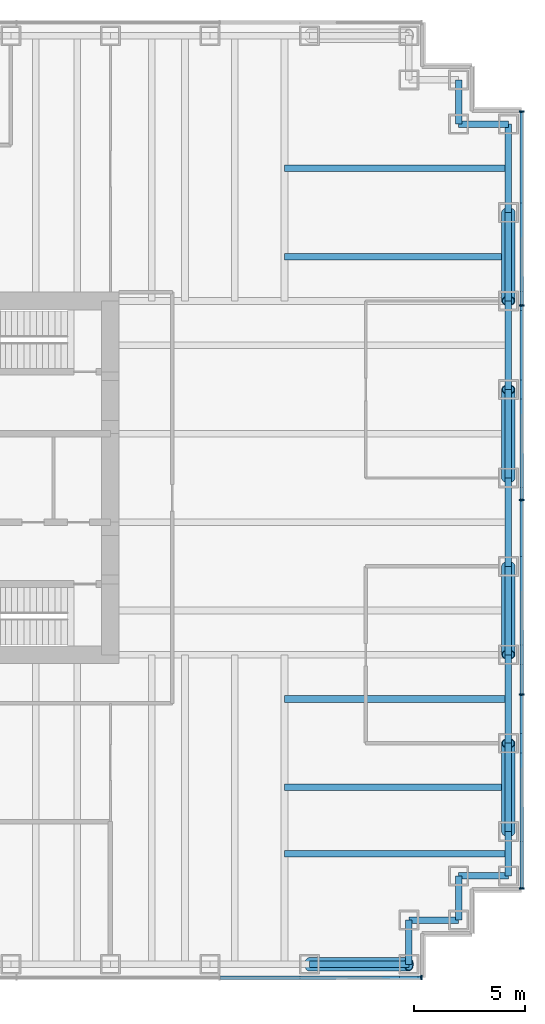
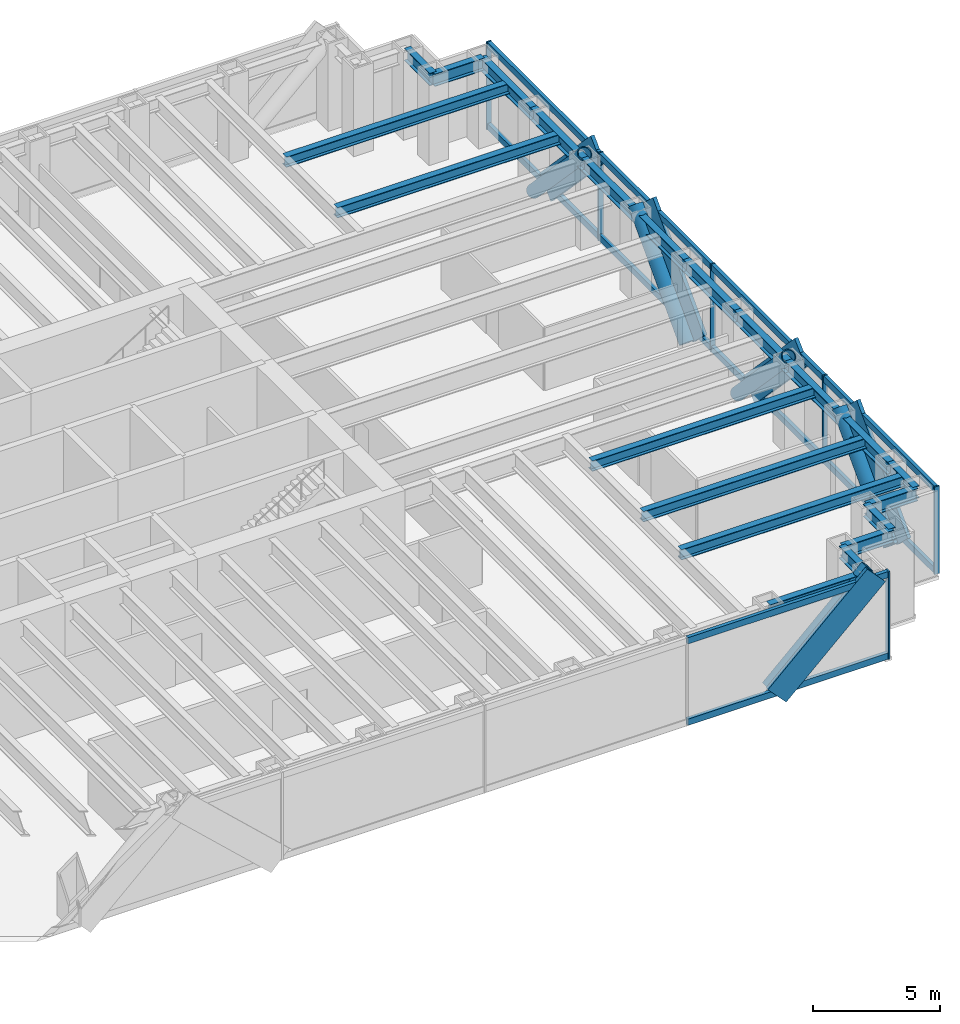
# One storey, part 7 of 14: 26 members, 21 beams, 2 elements without a shape of their own.
"""IFC4 building model written with IfcOpenShell, lengths in metres."""

from ifc_helpers import new_model, si_unit, direction, frame, origin, origin_2d, place, context, subcontext, project, spatial, rectangle, hollow_circle, i_section, extrude, material, material_profile, profile_set, type_object, element, aggregate, save


model = new_model("IFC4")

# Units and contexts
model_context = context("Model", 3, precision=1e-05, world=origin(), true_north=direction((0.0, 1.0)))
body_context = subcontext(model_context, "Body", "Model", "MODEL_VIEW")
ifc_project = project(units=[si_unit("LENGTHUNIT", "METRE"), si_unit("AREAUNIT", "SQUARE_METRE"), si_unit("VOLUMEUNIT", "CUBIC_METRE"), si_unit("PLANEANGLEUNIT", "RADIAN"), si_unit("MASSUNIT", "GRAM", prefix="KILO")], contexts=[model_context])

# Site, building, storey
site_placement = place(None, origin())
site = spatial("IfcSite", under=ifc_project, at=site_placement, CompositionType="ELEMENT")
building_placement = place(site_placement, origin())
building = spatial("IfcBuilding", under=site, at=building_placement, Name="Rheinbord Bourse Tower", CompositionType="ELEMENT")
storey_placement = place(building_placement, frame((0.0, 0.0, 240.39990234375)))
storey = spatial("IfcBuildingStorey", under=building, at=storey_placement, Name="L54", CompositionType="ELEMENT", Elevation=240.39990234375)

# Curtain wall, member
ifc_material_1 = material(Name="Dark glass and black aluminium", Category="aluminium")
curtain_wall_type = type_object("IfcCurtainWallType", Name="CW2 DARK GLASS CURTAIN WALL", PredefinedType="USERDEFINED", material=ifc_material_1)
curtain_wall_1_placement = place(storey_placement, origin())
curtain_wall_1 = element("IfcCurtainWall", 1, at=curtain_wall_1_placement, inside=storey, type_object=curtain_wall_type, Name="Curtain wall CW2 S L54", ObjectType="UNITISED CURTAIN WALL", PredefinedType="USERDEFINED")
ifc_material_2 = material(Name="Black anodised aluminium", Category="aluminium")
ifc_material_profile_1 = material_profile(ifc_material_2, rectangle(XDim=0.159912109375, YDim=1.2099609375, at=origin_2d()), Name="CW2 DIAGONAL MULLION 1210x160")
ifc_profile_set_1 = profile_set([ifc_material_profile_1], Name="Black anodised aluminium")
member_type_1 = type_object("IfcMemberType", Name="CW2 BLACK DIAGONAL MULLION", PredefinedType="USERDEFINED", material=ifc_profile_set_1)
member_1_placement = place(storey_placement, frame((63.0, 1.39990234375, 0.0), z_axis=(0.731039441158, 0.0, 0.682335207557), x_axis=(0.0, 1.0, 0.0)))
member_1 = element("IfcMember", 2, at=member_1_placement, type_object=member_type_1, Name="CW2 diagonal mullion b", ObjectType="DIAGONAL MULLION", PredefinedType="USERDEFINED", context=body_context, shape_type="SweptSolid", body=[
    extrude(rectangle(XDim=0.159912109375, YDim=1.2099609375, at=origin_2d()), origin(), (0.0, 0.0, 1.0), 6.155517578125),
])

# Curtain wall, members
curtain_wall_2_placement = place(storey_placement, origin())
curtain_wall_2 = element("IfcCurtainWall", 3, at=curtain_wall_2_placement, inside=storey, type_object=curtain_wall_type, Name="Curtain wall CW2 E L54", ObjectType="UNITISED CURTAIN WALL", PredefinedType="USERDEFINED")
member_2_placement = place(storey_placement, frame((72.60009765625, 8.0, 0.0), z_axis=(0.0, 0.689638355374, 0.72415394689), x_axis=(-1.0, 0.0, 0.0)))
member_2 = element("IfcMember", 4, at=member_2_placement, type_object=member_type_1, Name="CW2 diagonal mullion a", ObjectType="DIAGONAL MULLION", PredefinedType="USERDEFINED", context=body_context, shape_type="SweptSolid", body=[
    extrude(rectangle(XDim=0.159912109375, YDim=1.2099609375, at=origin_2d()), origin(), (0.0, 0.0, 1.0), 5.800048828125),
])
member_3_placement = place(storey_placement, frame((72.60009765625, 36.0, 0.0), z_axis=(0.0, -0.689638355374, 0.72415394689), x_axis=(1.0, 0.0, 0.0)))
member_3 = element("IfcMember", 5, at=member_3_placement, type_object=member_type_1, Name="CW2 diagonal mullion b", ObjectType="DIAGONAL MULLION", PredefinedType="USERDEFINED", context=body_context, shape_type="SweptSolid", body=[
    extrude(rectangle(XDim=0.159912109375, YDim=1.2099609375, at=origin_2d()), origin(), (0.0, 0.0, 1.0), 5.800048828125),
])
member_4_placement = place(storey_placement, frame((72.60009765625, 24.0, 0.0), z_axis=(0.0, 0.689638355374, 0.72415394689), x_axis=(-1.0, 0.0, 0.0)))
member_4 = element("IfcMember", 6, at=member_4_placement, type_object=member_type_1, Name="CW2 diagonal mullion c", ObjectType="DIAGONAL MULLION", PredefinedType="USERDEFINED", context=body_context, shape_type="SweptSolid", body=[
    extrude(rectangle(XDim=0.159912109375, YDim=1.2099609375, at=origin_2d()), origin(), (0.0, 0.0, 1.0), 5.800048828125),
])
member_5_placement = place(storey_placement, frame((72.60009765625, 20.0, 0.0), z_axis=(0.0, -0.689638355374, 0.72415394689), x_axis=(1.0, 0.0, 0.0)))
member_5 = element("IfcMember", 7, at=member_5_placement, type_object=member_type_1, Name="CW2 diagonal mullion d", ObjectType="DIAGONAL MULLION", PredefinedType="USERDEFINED", context=body_context, shape_type="SweptSolid", body=[
    extrude(rectangle(XDim=0.159912109375, YDim=1.2099609375, at=origin_2d()), origin(), (0.0, 0.0, 1.0), 5.800048828125),
])

# Member
ifc_material_3 = material(Name="Black anodised aluminium", Category="aluminium")
ifc_material_profile_2 = material_profile(ifc_material_3, rectangle(XDim=0.219970703125, YDim=0.070068359375, at=origin_2d()), Name="CW2 MULLION 70x220")
ifc_profile_set_2 = profile_set([ifc_material_profile_2], Name="Black anodised aluminium")
member_type_2 = type_object("IfcMemberType", Name="CW2 BLACK MULLION", PredefinedType="MULLION", material=ifc_profile_set_2)
member_6_placement = place(storey_placement, frame((68.06494140625, 1.39990234375, 0.0), z_axis=(0.0, 0.0, 1.0), x_axis=(0.0, 1.0, 0.0)))
member_6 = element("IfcMember", 8, at=member_6_placement, type_object=member_type_2, Name="CW2 mullion 8", PredefinedType="MULLION", context=body_context, shape_type="SweptSolid", body=[
    extrude(rectangle(XDim=0.219970703125, YDim=0.070068359375, at=origin_2d()), origin(), (0.0, 0.0, 1.0), 4.2001953125),
])

member_7_placement = place(storey_placement, frame((72.60009765625, 5.43505859375, 0.0), z_axis=(0.0, 0.0, 1.0), x_axis=(-1.0, 0.0, 0.0)))
member_7 = element("IfcMember", 9, at=member_7_placement, type_object=member_type_2, Name="CW2 mullion 1", PredefinedType="MULLION", context=body_context, shape_type="SweptSolid", body=[
    extrude(rectangle(XDim=0.219970703125, YDim=0.070068359375, at=origin_2d()), origin(), (0.0, 0.0, 1.0), 4.2001953125),
])

member_8_placement = place(storey_placement, frame((72.60009765625, 14.199951171875, 0.0), z_axis=(0.0, 0.0, 1.0), x_axis=(-1.0, 0.0, 0.0)))
member_8 = element("IfcMember", 10, at=member_8_placement, type_object=member_type_2, Name="CW2 mullion 2", PredefinedType="MULLION", context=body_context, shape_type="SweptSolid", body=[
    extrude(rectangle(XDim=0.219970703125, YDim=0.070068359375, at=origin_2d()), origin(), (0.0, 0.0, 1.0), 4.2001953125),
])

member_9_placement = place(storey_placement, frame((72.60009765625, 23.0, 0.0), z_axis=(0.0, 0.0, 1.0), x_axis=(-1.0, 0.0, 0.0)))
member_9 = element("IfcMember", 11, at=member_9_placement, type_object=member_type_2, Name="CW2 mullion 3", PredefinedType="MULLION", context=body_context, shape_type="SweptSolid", body=[
    extrude(rectangle(XDim=0.219970703125, YDim=0.070068359375, at=origin_2d()), origin(), (0.0, 0.0, 1.0), 4.2001953125),
])

member_10_placement = place(storey_placement, frame((72.60009765625, 31.800048828125, 0.0), z_axis=(0.0, 0.0, 1.0), x_axis=(-1.0, 0.0, 0.0)))
member_10 = element("IfcMember", 12, at=member_10_placement, type_object=member_type_2, Name="CW2 mullion 4", PredefinedType="MULLION", context=body_context, shape_type="SweptSolid", body=[
    extrude(rectangle(XDim=0.219970703125, YDim=0.070068359375, at=origin_2d()), origin(), (0.0, 0.0, 1.0), 4.2001953125),
])

member_11_placement = place(storey_placement, frame((72.60009765625, 40.56494140625, 0.0), z_axis=(0.0, 0.0, 1.0), x_axis=(-1.0, 0.0, 0.0)))
member_11 = element("IfcMember", 13, at=member_11_placement, type_object=member_type_2, Name="CW2 mullion 5", PredefinedType="MULLION", context=body_context, shape_type="SweptSolid", body=[
    extrude(rectangle(XDim=0.219970703125, YDim=0.070068359375, at=origin_2d()), origin(), (0.0, 0.0, 1.0), 4.2001953125),
])

ifc_material_4 = material(Name="Black anodised aluminium", Category="aluminium")
ifc_material_profile_3 = material_profile(ifc_material_4, rectangle(XDim=0.159912109375, YDim=0.300048828125, at=origin_2d()), Name="CW2 TRANSOM 300x160")
ifc_profile_set_3 = profile_set([ifc_material_profile_3], Name="Black anodised aluminium")
member_type_3 = type_object("IfcMemberType", Name="CW2 BLACK TRANSOM", PredefinedType="USERDEFINED", material=ifc_profile_set_3)
member_12_placement = place(storey_placement, frame((58.963623046875, 1.39990234375, 0.150146484375), z_axis=(1.0, 0.0, 0.0), x_axis=(0.0, 1.0, 0.0)))
member_12 = element("IfcMember", 14, at=member_12_placement, type_object=member_type_3, Name="CW2 transom 7.1", ObjectType="TRANSOM", PredefinedType="USERDEFINED", context=body_context, shape_type="SweptSolid", body=[
    extrude(rectangle(XDim=0.159912109375, YDim=0.300048828125, at=origin_2d()), origin(), (0.0, 0.0, 1.0), 9.06640625),
])

member_13_placement = place(storey_placement, frame((58.963623046875, 1.39990234375, 4.050048828125), z_axis=(1.0, 0.0, 0.0), x_axis=(0.0, 1.0, 0.0)))
member_13 = element("IfcMember", 15, at=member_13_placement, type_object=member_type_3, Name="CW2 transom 7.2", ObjectType="TRANSOM", PredefinedType="USERDEFINED", context=body_context, shape_type="SweptSolid", body=[
    extrude(rectangle(XDim=0.159912109375, YDim=0.300048828125, at=origin_2d()), origin(), (0.0, 0.0, 1.0), 9.06640625),
])

aggregate(curtain_wall_1, [member_6, member_12, member_13, member_1])

member_14_placement = place(storey_placement, frame((72.60009765625, 5.469970703125, 0.150146484375), z_axis=(0.0, 1.0, 0.0), x_axis=(-1.0, 0.0, 0.0)))
member_14 = element("IfcMember", 16, at=member_14_placement, type_object=member_type_3, Name="CW2 transom 1.1", ObjectType="TRANSOM", PredefinedType="USERDEFINED", context=body_context, shape_type="SweptSolid", body=[
    extrude(rectangle(XDim=0.159912109375, YDim=0.300048828125, at=origin_2d()), origin(), (0.0, 0.0, 1.0), 8.695068359375),
])

member_15_placement = place(storey_placement, frame((72.60009765625, 5.469970703125, 4.050048828125), z_axis=(0.0, 1.0, 0.0), x_axis=(-1.0, 0.0, 0.0)))
member_15 = element("IfcMember", 17, at=member_15_placement, type_object=member_type_3, Name="CW2 transom 1.2", ObjectType="TRANSOM", PredefinedType="USERDEFINED", context=body_context, shape_type="SweptSolid", body=[
    extrude(rectangle(XDim=0.159912109375, YDim=0.300048828125, at=origin_2d()), origin(), (0.0, 0.0, 1.0), 8.695068359375),
])

member_16_placement = place(storey_placement, frame((72.60009765625, 14.235107421875, 0.150146484375), z_axis=(0.0, 1.0, 0.0), x_axis=(-1.0, 0.0, 0.0)))
member_16 = element("IfcMember", 18, at=member_16_placement, type_object=member_type_3, Name="CW2 transom 2.1", ObjectType="TRANSOM", PredefinedType="USERDEFINED", context=body_context, shape_type="SweptSolid", body=[
    extrude(rectangle(XDim=0.159912109375, YDim=0.300048828125, at=origin_2d()), origin(), (0.0, 0.0, 1.0), 8.72998046875),
])

member_17_placement = place(storey_placement, frame((72.60009765625, 14.235107421875, 4.050048828125), z_axis=(0.0, 1.0, 0.0), x_axis=(-1.0, 0.0, 0.0)))
member_17 = element("IfcMember", 19, at=member_17_placement, type_object=member_type_3, Name="CW2 transom 2.2", ObjectType="TRANSOM", PredefinedType="USERDEFINED", context=body_context, shape_type="SweptSolid", body=[
    extrude(rectangle(XDim=0.159912109375, YDim=0.300048828125, at=origin_2d()), origin(), (0.0, 0.0, 1.0), 8.72998046875),
])

member_18_placement = place(storey_placement, frame((72.60009765625, 23.034912109375, 0.150146484375), z_axis=(0.0, 1.0, 0.0), x_axis=(-1.0, 0.0, 0.0)))
member_18 = element("IfcMember", 20, at=member_18_placement, type_object=member_type_3, Name="CW2 transom 3.1", ObjectType="TRANSOM", PredefinedType="USERDEFINED", context=body_context, shape_type="SweptSolid", body=[
    extrude(rectangle(XDim=0.159912109375, YDim=0.300048828125, at=origin_2d()), origin(), (0.0, 0.0, 1.0), 8.72998046875),
])

member_19_placement = place(storey_placement, frame((72.60009765625, 23.034912109375, 4.050048828125), z_axis=(0.0, 1.0, 0.0), x_axis=(-1.0, 0.0, 0.0)))
member_19 = element("IfcMember", 21, at=member_19_placement, type_object=member_type_3, Name="CW2 transom 3.2", ObjectType="TRANSOM", PredefinedType="USERDEFINED", context=body_context, shape_type="SweptSolid", body=[
    extrude(rectangle(XDim=0.159912109375, YDim=0.300048828125, at=origin_2d()), origin(), (0.0, 0.0, 1.0), 8.72998046875),
])

member_20_placement = place(storey_placement, frame((72.60009765625, 31.8349609375, 0.150146484375), z_axis=(0.0, 1.0, 0.0), x_axis=(-1.0, 0.0, 0.0)))
member_20 = element("IfcMember", 22, at=member_20_placement, type_object=member_type_3, Name="CW2 transom 4.1", ObjectType="TRANSOM", PredefinedType="USERDEFINED", context=body_context, shape_type="SweptSolid", body=[
    extrude(rectangle(XDim=0.159912109375, YDim=0.300048828125, at=origin_2d()), origin(), (0.0, 0.0, 1.0), 8.695068359375),
])

member_21_placement = place(storey_placement, frame((72.60009765625, 31.8349609375, 4.050048828125), z_axis=(0.0, 1.0, 0.0), x_axis=(-1.0, 0.0, 0.0)))
member_21 = element("IfcMember", 23, at=member_21_placement, type_object=member_type_3, Name="CW2 transom 4.2", ObjectType="TRANSOM", PredefinedType="USERDEFINED", context=body_context, shape_type="SweptSolid", body=[
    extrude(rectangle(XDim=0.159912109375, YDim=0.300048828125, at=origin_2d()), origin(), (0.0, 0.0, 1.0), 8.695068359375),
])

aggregate(curtain_wall_2, [member_7, member_8, member_9, member_10, member_11, member_14, member_15, member_16, member_17, member_18, member_19, member_20, member_21, member_2, member_3, member_4, member_5])

# Members
ifc_material_5 = material(Name="Steel S460", Category="steel")
ifc_material_profile_4 = material_profile(ifc_material_5, hollow_circle(Radius=0.304931640625, WallThickness=0.0400390625, at=origin_2d()), Name="CHS 610x40")
ifc_profile_set_4 = profile_set([ifc_material_profile_4], Name="Steel S460")
member_type_4 = type_object("IfcMemberType", Name="MEGABRACE CHS 610x40", PredefinedType="BRACE", material=ifc_profile_set_4)
member_22_placement = place(storey_placement, frame((63.0, 2.0, 0.0), z_axis=(0.731039441158, 0.0, 0.682335207557), x_axis=(0.0, 1.0, 0.0)))
element("IfcMember", 24, at=member_22_placement, inside=storey, type_object=member_type_4, Name="Megabrace S face line b L54", PredefinedType="BRACE", context=body_context, shape_type="SweptSolid", body=[
    extrude(hollow_circle(Radius=0.304931640625, WallThickness=0.0400390625, at=origin_2d()), origin(), (0.0, 0.0, 1.0), 6.155517578125),
])
for number, where, z_axis, x_axis, name in (
    (25, (72.0, 8.0, 0.0), (0.0, 0.689638355374, 0.72415394689), (-1.0, 0.0, 0.0), "Megabrace E face line a L54"),
    (26, (72.0, 36.0, 0.0), (0.0, -0.689638355374, 0.72415394689), (1.0, 0.0, 0.0), "Megabrace E face line b L54"),
    (27, (72.0, 24.0, 0.0), (0.0, 0.689638355374, 0.72415394689), (-1.0, 0.0, 0.0), "Megabrace E face line c L54"),
    (28, (72.0, 20.0, 0.0), (0.0, -0.689638355374, 0.72415394689), (1.0, 0.0, 0.0), "Megabrace E face line d L54"),
):
    element("IfcMember", number, at=place(storey_placement, frame(where, z_axis=z_axis, x_axis=x_axis)), inside=storey, type_object=member_type_4, Name=name, PredefinedType="BRACE", context=body_context, shape_type="SweptSolid", body=[
        extrude(hollow_circle(Radius=0.304931640625, WallThickness=0.0400390625, at=origin_2d()), origin(), (0.0, 0.0, 1.0), 5.800048828125),
    ])

# Beams
ifc_material_6 = material(Name="Steel S460", Category="steel")
ifc_material_profile_5 = material_profile(ifc_material_6, i_section(OverallWidth=0.300048828125, OverallDepth=0.60009765625, WebThickness=0.015380859375, FlangeThickness=0.030029296875, at=origin_2d()), Name="HEB 600")
ifc_profile_set_5 = profile_set([ifc_material_profile_5], Name="Steel S460")
beam_type_1 = type_object("IfcBeamType", Name="SPANDREL HEB 600", PredefinedType="SPANDREL", material=ifc_profile_set_5)
beam_1_placement = place(storey_placement, frame((63.0, 2.0, 3.739990234375), z_axis=(1.0, 0.0, 0.0), x_axis=(0.0, 1.0, 0.0)))
element("IfcBeam", 29, at=beam_1_placement, inside=storey, type_object=beam_type_1, Name="Spandrel S-63-SE-E under L55", PredefinedType="SPANDREL", context=body_context, shape_type="SweptSolid", body=[
    extrude(i_section(OverallWidth=0.300048828125, OverallDepth=0.60009765625, WebThickness=0.015380859375, FlangeThickness=0.030029296875, at=origin_2d()), origin(), (0.0, 0.0, 1.0), 4.5),
])
beam_2_placement = place(storey_placement, frame((67.5, 2.0, 3.739990234375), z_axis=(0.0, 1.0, 0.0), x_axis=(-1.0, 0.0, 0.0)))
element("IfcBeam", 30, at=beam_2_placement, inside=storey, type_object=beam_type_1, Name="Spandrel SE-E-SE-D under L55", PredefinedType="SPANDREL", context=body_context, shape_type="SweptSolid", body=[
    extrude(i_section(OverallWidth=0.300048828125, OverallDepth=0.60009765625, WebThickness=0.015380859375, FlangeThickness=0.030029296875, at=origin_2d()), origin(), (0.0, 0.0, 1.0), 2.0),
])
beam_3_placement = place(storey_placement, frame((67.5, 4.0, 3.739990234375), z_axis=(1.0, 0.0, 0.0), x_axis=(0.0, 1.0, 0.0)))
element("IfcBeam", 31, at=beam_3_placement, inside=storey, type_object=beam_type_1, Name="Spandrel SE-D-SE-C under L55", PredefinedType="SPANDREL", context=body_context, shape_type="SweptSolid", body=[
    extrude(i_section(OverallWidth=0.300048828125, OverallDepth=0.60009765625, WebThickness=0.015380859375, FlangeThickness=0.030029296875, at=origin_2d()), origin(), (0.0, 0.0, 1.0), 2.25),
])
beam_4_placement = place(storey_placement, frame((69.75, 4.0, 3.739990234375), z_axis=(0.0, 1.0, 0.0), x_axis=(-1.0, 0.0, 0.0)))
element("IfcBeam", 32, at=beam_4_placement, inside=storey, type_object=beam_type_1, Name="Spandrel SE-C-SE-B under L55", PredefinedType="SPANDREL", context=body_context, shape_type="SweptSolid", body=[
    extrude(i_section(OverallWidth=0.300048828125, OverallDepth=0.60009765625, WebThickness=0.015380859375, FlangeThickness=0.030029296875, at=origin_2d()), origin(), (0.0, 0.0, 1.0), 2.0),
])
beam_5_placement = place(storey_placement, frame((69.75, 6.0, 3.739990234375), z_axis=(1.0, 0.0, 0.0), x_axis=(0.0, 1.0, 0.0)))
element("IfcBeam", 33, at=beam_5_placement, inside=storey, type_object=beam_type_1, Name="Spandrel SE-B-SE-A under L55", PredefinedType="SPANDREL", context=body_context, shape_type="SweptSolid", body=[
    extrude(i_section(OverallWidth=0.300048828125, OverallDepth=0.60009765625, WebThickness=0.015380859375, FlangeThickness=0.030029296875, at=origin_2d()), origin(), (0.0, 0.0, 1.0), 2.25),
])
beam_6_placement = place(storey_placement, frame((72.0, 6.0, 3.739990234375), z_axis=(0.0, 1.0, 0.0), x_axis=(-1.0, 0.0, 0.0)))
element("IfcBeam", 34, at=beam_6_placement, inside=storey, type_object=beam_type_1, Name="Spandrel SE-A-E-8 under L55", PredefinedType="SPANDREL", context=body_context, shape_type="SweptSolid", body=[
    extrude(i_section(OverallWidth=0.300048828125, OverallDepth=0.60009765625, WebThickness=0.015380859375, FlangeThickness=0.030029296875, at=origin_2d()), origin(), (0.0, 0.0, 1.0), 2.0),
])
for number, where, z_axis, x_axis, name in (
    (35, (72.0, 8.0, 3.739990234375), (0.0, 1.0, 0.0), (-1.0, 0.0, 0.0), "Spandrel E-8-E-12 under L55"),
    (36, (72.0, 12.0, 3.739990234375), (0.0, 1.0, 0.0), (-1.0, 0.0, 0.0), "Spandrel E-12-E-16 under L55"),
    (37, (72.0, 16.0, 3.739990234375), (0.0, 1.0, 0.0), (-1.0, 0.0, 0.0), "Spandrel E-16-E-20 under L55"),
    (38, (72.0, 20.0, 3.739990234375), (0.0, 1.0, 0.0), (-1.0, 0.0, 0.0), "Spandrel E-20-E-24 under L55"),
    (39, (72.0, 24.0, 3.739990234375), (0.0, 1.0, 0.0), (-1.0, 0.0, 0.0), "Spandrel E-24-E-28 under L55"),
    (40, (72.0, 28.0, 3.739990234375), (0.0, 1.0, 0.0), (-1.0, 0.0, 0.0), "Spandrel E-28-E-32 under L55"),
    (41, (72.0, 32.0, 3.739990234375), (0.0, 1.0, 0.0), (-1.0, 0.0, 0.0), "Spandrel E-32-E-36 under L55"),
    (42, (72.0, 36.0, 3.739990234375), (0.0, 1.0, 0.0), (-1.0, 0.0, 0.0), "Spandrel E-36-NE-A under L55"),
):
    element("IfcBeam", number, at=place(storey_placement, frame(where, z_axis=z_axis, x_axis=x_axis)), inside=storey, type_object=beam_type_1, Name=name, PredefinedType="SPANDREL", context=body_context, shape_type="SweptSolid", body=[
        extrude(i_section(OverallWidth=0.300048828125, OverallDepth=0.60009765625, WebThickness=0.015380859375, FlangeThickness=0.030029296875, at=origin_2d()), origin(), (0.0, 0.0, 1.0), 4.0),
    ])
beam_7_placement = place(storey_placement, frame((72.0, 40.0, 3.739990234375), z_axis=(-1.0, 0.0, 0.0), x_axis=(0.0, -1.0, 0.0)))
element("IfcBeam", 43, at=beam_7_placement, inside=storey, type_object=beam_type_1, Name="Spandrel NE-A-NE-B under L55", PredefinedType="SPANDREL", context=body_context, shape_type="SweptSolid", body=[
    extrude(i_section(OverallWidth=0.300048828125, OverallDepth=0.60009765625, WebThickness=0.015380859375, FlangeThickness=0.030029296875, at=origin_2d()), origin(), (0.0, 0.0, 1.0), 2.25),
])
beam_8_placement = place(storey_placement, frame((69.75, 40.0, 3.739990234375), z_axis=(0.0, 1.0, 0.0), x_axis=(-1.0, 0.0, 0.0)))
element("IfcBeam", 44, at=beam_8_placement, inside=storey, type_object=beam_type_1, Name="Spandrel NE-B-NE-C under L55", PredefinedType="SPANDREL", context=body_context, shape_type="SweptSolid", body=[
    extrude(i_section(OverallWidth=0.300048828125, OverallDepth=0.60009765625, WebThickness=0.015380859375, FlangeThickness=0.030029296875, at=origin_2d()), origin(), (0.0, 0.0, 1.0), 2.0),
])
ifc_material_7 = material(Name="Steel S460", Category="steel")
ifc_material_profile_6 = material_profile(ifc_material_7, i_section(OverallWidth=0.300048828125, OverallDepth=0.5, WebThickness=0.014404296875, FlangeThickness=0.028076171875, at=origin_2d()), Name="HEB 500")
ifc_profile_set_6 = profile_set([ifc_material_profile_6], Name="Steel S460")
beam_type_2 = type_object("IfcBeamType", Name="TIE BEAM HEB 500", PredefinedType="JOIST", material=ifc_profile_set_6)
for number, where, z_axis, x_axis, name in (
    (45, (61.875, 7.0, 3.7900390625), (1.0, 0.0, 0.0), (0.0, 1.0, 0.0), "Tie east 7 L55"),
    (46, (61.875, 10.0, 3.7900390625), (1.0, 0.0, 0.0), (0.0, 1.0, 0.0), "Tie east 10 L55"),
    (47, (61.875, 14.0, 3.7900390625), (1.0, 0.0, 0.0), (0.0, 1.0, 0.0), "Tie east 14 L55"),
    (48, (61.875, 34.0, 3.7900390625), (1.0, 0.0, 0.0), (0.0, 1.0, 0.0), "Tie east 34 L55"),
    (49, (61.875, 38.0, 3.7900390625), (1.0, 0.0, 0.0), (0.0, 1.0, 0.0), "Tie east 38 L55"),
):
    element("IfcBeam", number, at=place(storey_placement, frame(where, z_axis=z_axis, x_axis=x_axis)), inside=storey, type_object=beam_type_2, Name=name, PredefinedType="JOIST", context=body_context, shape_type="SweptSolid", body=[
        extrude(i_section(OverallWidth=0.300048828125, OverallDepth=0.5, WebThickness=0.014404296875, FlangeThickness=0.028076171875, at=origin_2d()), origin(), (0.0, 0.0, 1.0), 10.125),
    ])

save(model, "model.ifc")
